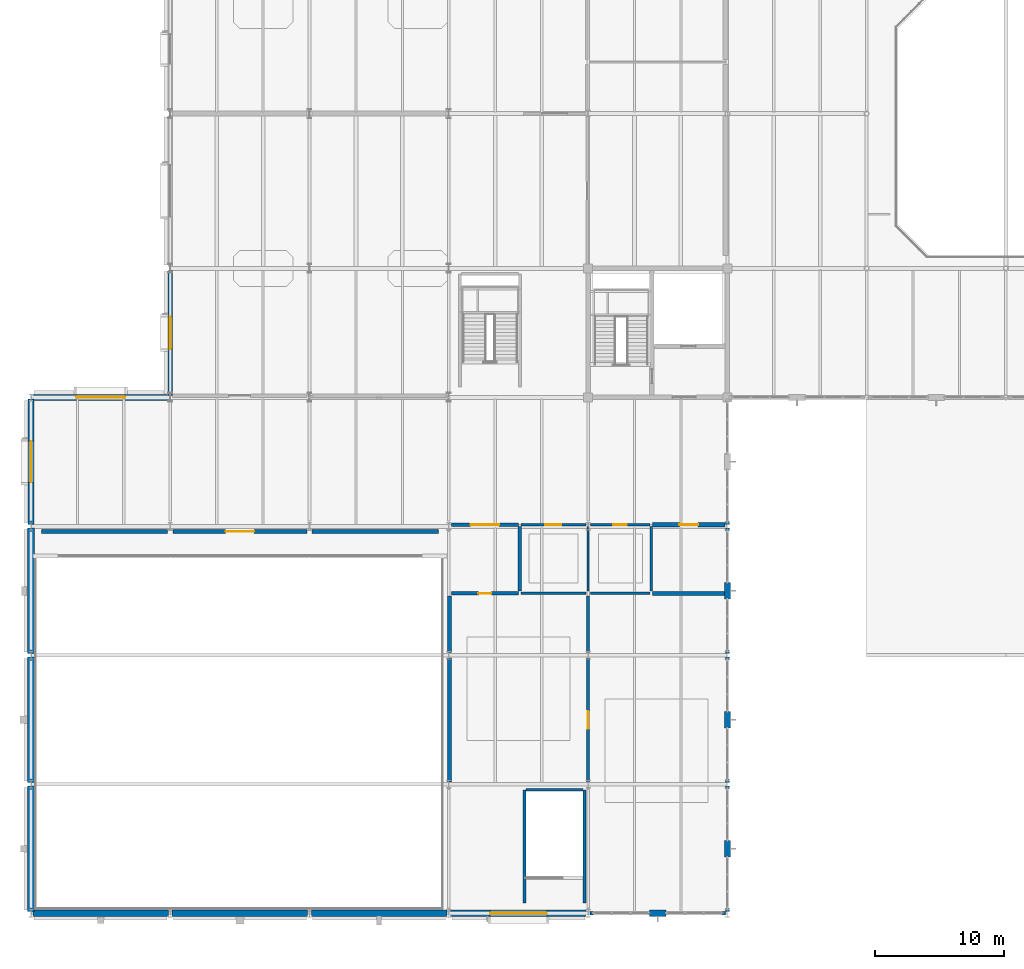
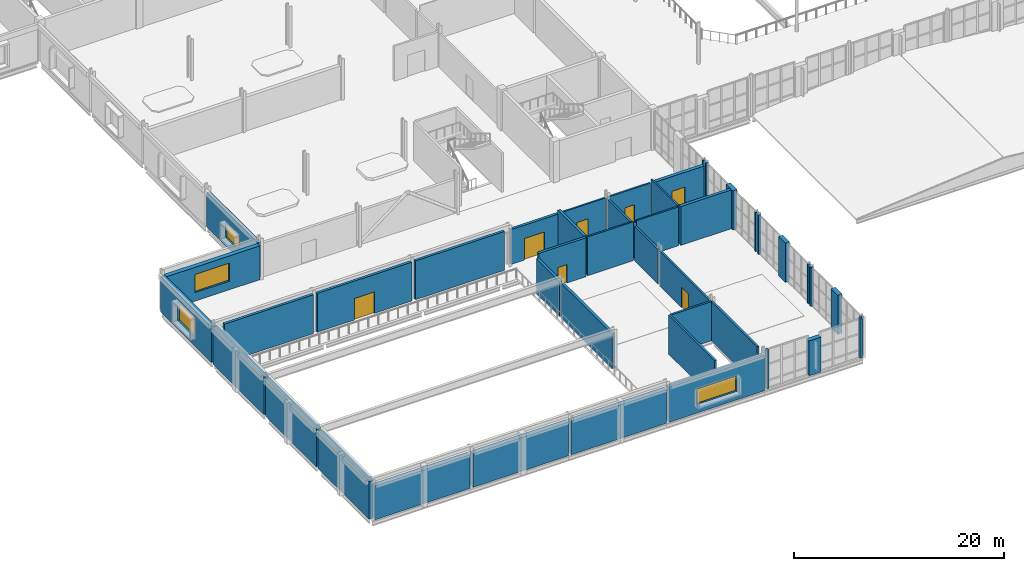
# One storey, part 74 of 92: 44 walls, 7 doors, 4 windows, 11 openings.
"""IFC4 building model written with IfcOpenShell, lengths in metres."""

from ifc_helpers import new_model, si_unit, direction, frame, frame_2d, origin, place, context, subcontext, project, spatial, rectangle, extrude, material, layer, layer_set, type_object, element, fill, save


model = new_model("IFC4")

# Units and contexts
model_context = context("Model", 3, precision=1e-05, world=origin(), true_north=direction((0.0, 1.0)))
body_context = subcontext(model_context, "Body", "Model", "MODEL_VIEW")
ifc_project = project(units=[si_unit("LENGTHUNIT", "METRE"), si_unit("AREAUNIT", "SQUARE_METRE"), si_unit("VOLUMEUNIT", "CUBIC_METRE"), si_unit("PLANEANGLEUNIT", "RADIAN"), si_unit("MASSUNIT", "GRAM", prefix="KILO")], contexts=[model_context])

# Site, building, storey
site_placement = place(None, origin())
site = spatial("IfcSite", under=ifc_project, at=site_placement, CompositionType="ELEMENT")
building_placement = place(site_placement, origin())
building = spatial("IfcBuilding", under=site, at=building_placement, Name="Tasgan Crest Museum", CompositionType="ELEMENT")
storey_placement = place(building_placement, frame((0.0, 0.0, 4.800048828125)))
storey = spatial("IfcBuildingStorey", under=building, at=storey_placement, Name="L01", CompositionType="ELEMENT", Elevation=4.800048828125)

# Wall, opening, door
ifc_material_1 = material(Name="Double-Stud Acoustic Auditorium Wall")
ifc_layer_1 = layer(ifc_material_1, 0.280029296875, Name="WL-ACOUST-280")
ifc_layer_set_1 = layer_set([ifc_layer_1], Name="Double-Stud Acoustic Auditorium Wall")
wall_type_1 = type_object("IfcWallType", Name="WL-ACOUST-280", PredefinedType="SOLIDWALL", material=ifc_layer_set_1)
wall_1_placement = place(storey_placement, frame((32.60009765625, 24.800048828125, 0.0), z_axis=(0.0, 0.0, 1.0), x_axis=(1.0, 0.0, 0.0)))
wall_1 = element("IfcWall", 1, at=wall_1_placement, inside=storey, type_object=wall_type_1, Name="Partition Naturalist Workshop Studio / Auditorium Projection Studio L01", PredefinedType="SOLIDWALL", context=body_context, shape_type="SweptSolid", body=[
    extrude(rectangle(XDim=5.199951171875, YDim=0.280029296875, at=frame_2d((2.60009765625, 0.0))), origin(), (0.0, 0.0, 1.0), 4.52001953125),
])
opening_1_placement = place(wall_1_placement, frame((2.090087890625, 0.0, 0.0)))
opening_1 = element("IfcOpeningElement", 2, at=opening_1_placement, cuts=wall_1, Name="Opening D030", PredefinedType="OPENING", context=body_context, shape_type="SweptSolid", body=[
    extrude(rectangle(XDim=1.02001953125, YDim=2.14990234375, at=frame_2d((0.510009765625, 1.074951171875))), frame((0.0, 0.14990234375, 0.0), z_axis=(0.0, -1.0, 0.0), x_axis=(1.0, 0.0, 0.0)), (0.0, 0.0, 1.0), 0.300048828125),
])
ifc_material_2 = material(Name="Oak and Brushed Bronze Acoustic Door")
door_type_1 = type_object("IfcDoorType", Name="DR-SCH-02", OperationType="NOTDEFINED", PredefinedType="DOOR", material=ifc_material_2)
door_1_placement = place(opening_1_placement, origin())
door_1 = element("IfcDoor", 3, at=door_1_placement, inside=storey, type_object=door_type_1, Name="Naturalist Workshop Studio door D030", OperationType="SINGLE_SWING_RIGHT", OverallHeight=2.14990234375, OverallWidth=1.02001953125, PredefinedType="DOOR", context=body_context, shape_type="SweptSolid", body=[
    extrude(rectangle(XDim=1.02001953125, YDim=2.14990234375, at=frame_2d((0.510009765625, 1.074951171875))), frame((0.0, 0.02490234375, 0.0), z_axis=(0.0, -1.0, 0.0), x_axis=(1.0, 0.0, 0.0)), (0.0, 0.0, 1.0), 0.050048828125),
])
fill(opening_1, door_1)

# Wall
wall_2_placement = place(storey_placement, frame((0.800048828125, 29.60009765625, 0.0), z_axis=(0.0, 0.0, 1.0), x_axis=(1.0, 0.0, 0.0)))
element("IfcWall", 4, at=wall_2_placement, inside=storey, type_object=wall_type_1, Name="Partition Main Auditorium Upper Bowl / Upper Auditorium Balcony Foyer L01", PredefinedType="SOLIDWALL", context=body_context, shape_type="SweptSolid", body=[
    extrude(rectangle(XDim=9.800048828125, YDim=0.280029296875, at=frame_2d((4.89990234375, 0.0))), origin(), (0.0, 0.0, 1.0), 4.52001953125),
])

# Wall, opening, door
wall_3_placement = place(storey_placement, frame((11.0, 29.60009765625, 0.0), z_axis=(0.0, 0.0, 1.0), x_axis=(1.0, 0.0, 0.0)))
wall_3 = element("IfcWall", 5, at=wall_3_placement, inside=storey, type_object=wall_type_1, Name="Partition Main Auditorium Upper Bowl / Upper Auditorium Balcony Foyer L01", PredefinedType="SOLIDWALL", context=body_context, shape_type="SweptSolid", body=[
    extrude(rectangle(XDim=10.39990234375, YDim=0.280029296875, at=frame_2d((5.199951171875, 0.0))), origin(), (0.0, 0.0, 1.0), 4.52001953125),
])
opening_2_placement = place(wall_3_placement, frame((4.10009765625, 0.0, 0.0)))
opening_2 = element("IfcOpeningElement", 6, at=opening_2_placement, cuts=wall_3, Name="Opening D031", PredefinedType="OPENING", context=body_context, shape_type="SweptSolid", body=[
    extrude(rectangle(XDim=2.199951171875, YDim=2.5, at=frame_2d((1.10009765625, 1.25))), frame((0.0, 0.14990234375, 0.0), z_axis=(0.0, -1.0, 0.0), x_axis=(1.0, 0.0, 0.0)), (0.0, 0.0, 1.0), 0.300048828125),
])
ifc_material_3 = material(Name="Acoustic Double Auditorium Door")
door_type_2 = type_object("IfcDoorType", Name="DR-AUD-2200", OperationType="NOTDEFINED", PredefinedType="DOOR", material=ifc_material_3)
door_2_placement = place(opening_2_placement, origin())
door_2 = element("IfcDoor", 7, at=door_2_placement, inside=storey, type_object=door_type_2, Name="Main Auditorium Upper Bowl door D031", OperationType="DOUBLE_DOOR_SINGLE_SWING", OverallHeight=2.5, OverallWidth=2.199951171875, PredefinedType="DOOR", context=body_context, shape_type="SweptSolid", body=[
    extrude(rectangle(XDim=2.199951171875, YDim=2.5, at=frame_2d((1.10009765625, 1.25))), frame((0.0, 0.02490234375, 0.0), z_axis=(0.0, -1.0, 0.0), x_axis=(1.0, 0.0, 0.0)), (0.0, 0.0, 1.0), 0.050048828125),
])
fill(opening_2, door_2)

# Wall
wall_4_placement = place(storey_placement, frame((21.800048828125, 29.60009765625, 0.0), z_axis=(0.0, 0.0, 1.0), x_axis=(1.0, 0.0, 0.0)))
element("IfcWall", 8, at=wall_4_placement, inside=storey, type_object=wall_type_1, Name="Partition Main Auditorium Upper Bowl / Upper Auditorium Balcony Foyer L01", PredefinedType="SOLIDWALL", context=body_context, shape_type="SweptSolid", body=[
    extrude(rectangle(XDim=9.800048828125, YDim=0.280029296875, at=frame_2d((4.89990234375, 0.0))), origin(), (0.0, 0.0, 1.0), 4.52001953125),
])

# Wall, opening, door
wall_5_placement = place(storey_placement, frame((32.60009765625, 30.125, 0.0), z_axis=(0.0, 0.0, 1.0), x_axis=(1.0, 0.0, 0.0)))
wall_5 = element("IfcWall", 9, at=wall_5_placement, inside=storey, type_object=wall_type_1, Name="Partition Auditorium Projection Studio / South Balcony Link Corridor L01", PredefinedType="SOLIDWALL", context=body_context, shape_type="SweptSolid", body=[
    extrude(rectangle(XDim=5.199951171875, YDim=0.280029296875, at=frame_2d((2.60009765625, 0.0))), origin(), (0.0, 0.0, 1.0), 4.058837890625),
])
opening_3_placement = place(wall_5_placement, frame((1.5, 0.0, 0.0)))
opening_3 = element("IfcOpeningElement", 10, at=opening_3_placement, cuts=wall_5, Name="Opening D034", PredefinedType="OPENING", context=body_context, shape_type="SweptSolid", body=[
    extrude(rectangle(XDim=2.199951171875, YDim=2.5, at=frame_2d((1.10009765625, 1.25))), frame((0.0, 0.14990234375, 0.0), z_axis=(0.0, -1.0, 0.0), x_axis=(1.0, 0.0, 0.0)), (0.0, 0.0, 1.0), 0.300048828125),
])
door_3_placement = place(opening_3_placement, origin())
door_3 = element("IfcDoor", 11, at=door_3_placement, inside=storey, type_object=door_type_2, Name="Auditorium Projection Studio door D034", OperationType="DOUBLE_DOOR_SINGLE_SWING", OverallHeight=2.5, OverallWidth=2.199951171875, PredefinedType="DOOR", context=body_context, shape_type="SweptSolid", body=[
    extrude(rectangle(XDim=2.199951171875, YDim=2.5, at=frame_2d((1.10009765625, 1.25))), frame((0.0, 0.02490234375, 0.0), z_axis=(0.0, -1.0, 0.0), x_axis=(1.0, 0.0, 0.0)), (0.0, 0.0, 1.0), 0.050048828125),
])
fill(opening_3, door_3)

# Wall
wall_6_placement = place(storey_placement, frame((37.89990234375, 25.0, 0.0), z_axis=(0.0, 0.0, 1.0), x_axis=(0.0, 1.0, 0.0)))
element("IfcWall", 12, at=wall_6_placement, inside=storey, type_object=wall_type_1, Name="Partition First Floor Public WC / Auditorium Projection Studio L01", PredefinedType="SOLIDWALL", context=body_context, shape_type="SweptSolid", body=[
    extrude(rectangle(XDim=5.0, YDim=0.280029296875, at=frame_2d((2.5, 0.0))), origin(), (0.0, 0.0, 1.0), 4.52001953125),
])

# Wall, opening, window
ifc_material_4 = material(Name="Precast concrete C40/50", Category="concrete")
ifc_layer_2 = layer(ifc_material_4, 0.3798828125, Name="WL-EXT-CANT-380")
ifc_layer_set_2 = layer_set([ifc_layer_2], Name="Precast concrete C40/50")
wall_type_2 = type_object("IfcWallType", Name="WL-EXT-CANT-380", PredefinedType="STANDARD", material=ifc_layer_set_2)
wall_7_placement = place(storey_placement, frame((10.800048828125, 49.85498046875, 0.0), z_axis=(0.0, 0.0, 1.0), x_axis=(0.0, -1.0, 0.0)))
wall_7 = element("IfcWall", 13, at=wall_7_placement, inside=storey, type_object=wall_type_2, Name="Exterior wall L01 (10.8,45.0)", PredefinedType="STANDARD", context=body_context, shape_type="SweptSolid", body=[
    extrude(rectangle(XDim=9.7099609375, YDim=0.3798828125, at=frame_2d((4.85498046875, 0.0))), origin(), (0.0, 0.0, 1.0), 4.0400390625),
])
opening_4_placement = place(wall_7_placement, frame((3.60498046875, 0.0, 1.0)))
opening_4 = element("IfcOpeningElement", 14, at=opening_4_placement, cuts=wall_7, Name="Opening W25", PredefinedType="OPENING", context=body_context, shape_type="SweptSolid", body=[
    extrude(rectangle(XDim=2.5, YDim=1.699951171875, at=frame_2d((1.25, 0.85009765625))), frame((0.0, 0.199951171875, 0.0), z_axis=(0.0, -1.0, 0.0), x_axis=(1.0, 0.0, 0.0)), (0.0, 0.0, 1.0), 0.39990234375),
])
ifc_material_5 = material(Name="Thermally Broken Triple-Glazed Aluminium", Category="aluminium")
window_type_1 = type_object("IfcWindowType", Name="WN-LAB-2500X1700", PartitioningType="SINGLE_PANEL", PredefinedType="WINDOW", material=ifc_material_5)
window_1_placement = place(opening_4_placement, origin())
window_1 = element("IfcWindow", 15, at=window_1_placement, inside=storey, type_object=window_type_1, Name="Window W25 L01-035", OverallHeight=1.699951171875, OverallWidth=2.5, PartitioningType="SINGLE_PANEL", PredefinedType="WINDOW", context=body_context, shape_type="SweptSolid", body=[
    extrude(rectangle(XDim=2.5, YDim=1.699951171875, at=frame_2d((1.25, 0.85009765625))), frame((0.0, 0.030029296875, 0.0), z_axis=(0.0, -1.0, 0.0), x_axis=(1.0, 0.0, 0.0)), (0.0, 0.0, 1.0), 0.06005859375),
])
fill(opening_4, window_1)

# Walls
ifc_material_6 = material(Name="Precast concrete C40/50", Category="concrete")
ifc_layer_3 = layer(ifc_material_6, 0.320068359375, Name="WL-EXT-CLER-320")
ifc_layer_set_3 = layer_set([ifc_layer_3], Name="Precast concrete C40/50")
wall_type_3 = type_object("IfcWallType", Name="WL-EXT-CLER-320", PredefinedType="STANDARD", material=ifc_layer_set_3)
for number, where, z_axis, x_axis, name in (
    (16, (43.344970703125, 0.0, 0.0), (0.0, 0.0, 1.0), (1.0, 0.0, 0.0), "Curtain wall jamb closure L01 JL"),
    (17, (53.6298828125, 0.0, 0.0), (0.0, 0.0, 1.0), (1.0, 0.0, 0.0), "Curtain wall jamb closure L01 JR"),
    (18, (54.0, 0.14501953125, 0.0), (0.0, 0.0, 1.0), (0.0, 1.0, 0.0), "Curtain wall jamb closure L01 JL"),
    (19, (54.0, 9.6298828125, 0.0), (0.0, 0.0, 1.0), (0.0, 1.0, 0.0), "Curtain wall jamb closure L01 JR"),
    (20, (54.0, 10.14501953125, 0.0), (0.0, 0.0, 1.0), (0.0, 1.0, 0.0), "Curtain wall jamb closure L01 JL"),
    (21, (54.0, 19.6298828125, 0.0), (0.0, 0.0, 1.0), (0.0, 1.0, 0.0), "Curtain wall jamb closure L01 JR"),
    (22, (54.0, 20.14501953125, 0.0), (0.0, 0.0, 1.0), (0.0, 1.0, 0.0), "Curtain wall jamb closure L01 JL"),
    (23, (54.0, 29.6298828125, 0.0), (0.0, 0.0, 1.0), (0.0, 1.0, 0.0), "Curtain wall jamb closure L01 JR"),
    (24, (54.0, 30.14501953125, 0.0), (0.0, 0.0, 1.0), (0.0, 1.0, 0.0), "Curtain wall jamb closure L01 JL"),
):
    element("IfcWall", number, at=place(storey_placement, frame(where, z_axis=z_axis, x_axis=x_axis)), inside=storey, type_object=wall_type_3, Name=name, PredefinedType="STANDARD", context=body_context, shape_type="SweptSolid", body=[
        extrude(rectangle(XDim=0.22509765625, YDim=0.300048828125, at=frame_2d((0.112548828125, 0.0))), origin(), (0.0, 0.0, 1.0), 4.56005859375),
    ])

# Wall, opening, window
ifc_material_7 = material(Name="Precast concrete C40/50", Category="concrete")
ifc_layer_4 = layer(ifc_material_7, 0.47998046875, Name="WL-EXT-GRAN-480")
ifc_layer_set_4 = layer_set([ifc_layer_4], Name="Precast concrete C40/50")
wall_type_4 = type_object("IfcWallType", Name="WL-EXT-GRAN-480", PredefinedType="STANDARD", material=ifc_layer_set_4)
wall_8_placement = place(storey_placement, frame((0.0, 39.85498046875, 0.0), z_axis=(0.0, 0.0, 1.0), x_axis=(0.0, -1.0, 0.0)))
wall_8 = element("IfcWall", 25, at=wall_8_placement, inside=storey, type_object=wall_type_4, Name="Exterior wall L01 (0.0,35.0)", PredefinedType="STANDARD", context=body_context, shape_type="SweptSolid", body=[
    extrude(rectangle(XDim=9.7099609375, YDim=0.47998046875, at=frame_2d((4.85498046875, 0.0))), origin(), (0.0, 0.0, 1.0), 4.1298828125),
])
opening_5_placement = place(wall_8_placement, frame((3.2548828125, 0.0, 1.0)))
opening_5 = element("IfcOpeningElement", 26, at=opening_5_placement, cuts=wall_8, Name="Opening W20", PredefinedType="OPENING", context=body_context, shape_type="SweptSolid", body=[
    extrude(rectangle(XDim=3.199951171875, YDim=2.199951171875, at=frame_2d((1.60009765625, 1.10009765625))), frame((0.0, 0.25, 0.0), z_axis=(0.0, -1.0, 0.0), x_axis=(1.0, 0.0, 0.0)), (0.0, 0.0, 1.0), 0.5),
])
ifc_material_8 = material(Name="Thermally Broken Triple-Glazed Aluminium", Category="aluminium")
window_type_2 = type_object("IfcWindowType", Name="WN-GAL-3200X2200", PartitioningType="SINGLE_PANEL", PredefinedType="WINDOW", material=ifc_material_8)
window_2_placement = place(opening_5_placement, origin())
window_2 = element("IfcWindow", 27, at=window_2_placement, inside=storey, type_object=window_type_2, Name="Window W20 L01-021", OverallHeight=2.199951171875, OverallWidth=3.199951171875, PartitioningType="SINGLE_PANEL", PredefinedType="WINDOW", context=body_context, shape_type="SweptSolid", body=[
    extrude(rectangle(XDim=3.199951171875, YDim=2.199951171875, at=frame_2d((1.60009765625, 1.10009765625))), frame((0.0, 0.030029296875, 0.0), z_axis=(0.0, -1.0, 0.0), x_axis=(1.0, 0.0, 0.0)), (0.0, 0.0, 1.0), 0.06005859375),
])
fill(opening_5, window_2)

wall_9_placement = place(storey_placement, frame((32.544921875, 0.0, 0.0), z_axis=(0.0, 0.0, 1.0), x_axis=(1.0, 0.0, 0.0)))
wall_9 = element("IfcWall", 28, at=wall_9_placement, inside=storey, type_object=wall_type_4, Name="Exterior wall L01 (37.8,0.0)", PredefinedType="STANDARD", context=body_context, shape_type="SweptSolid", body=[
    extrude(rectangle(XDim=10.510009765625, YDim=0.47998046875, at=frame_2d((5.2548828125, 0.0))), origin(), (0.0, 0.0, 1.0), 4.058837890625),
])
opening_6_placement = place(wall_9_placement, frame((3.054931640625, 0.0, 1.0)))
opening_6 = element("IfcOpeningElement", 29, at=opening_6_placement, cuts=wall_9, Name="Opening W24", PredefinedType="OPENING", context=body_context, shape_type="SweptSolid", body=[
    extrude(rectangle(XDim=4.39990234375, YDim=1.800048828125, at=frame_2d((2.199951171875, 0.89990234375))), frame((0.0, 0.25, 0.0), z_axis=(0.0, -1.0, 0.0), x_axis=(1.0, 0.0, 0.0)), (0.0, 0.0, 1.0), 0.5),
])
ifc_material_9 = material(Name="Thermally Broken Triple-Glazed Aluminium", Category="aluminium")
window_type_3 = type_object("IfcWindowType", Name="WN-GAL-4400X1800", PartitioningType="SINGLE_PANEL", PredefinedType="WINDOW", material=ifc_material_9)
window_3_placement = place(opening_6_placement, origin())
window_3 = element("IfcWindow", 30, at=window_3_placement, inside=storey, type_object=window_type_3, Name="Window W24 L01-022", OverallHeight=1.800048828125, OverallWidth=4.39990234375, PartitioningType="SINGLE_PANEL", PredefinedType="WINDOW", context=body_context, shape_type="SweptSolid", body=[
    extrude(rectangle(XDim=4.39990234375, YDim=1.800048828125, at=frame_2d((2.199951171875, 0.89990234375))), frame((0.0, 0.030029296875, 0.0), z_axis=(0.0, -1.0, 0.0), x_axis=(1.0, 0.0, 0.0)), (0.0, 0.0, 1.0), 0.06005859375),
])
fill(opening_6, window_3)

# Walls
wall_10_placement = place(storey_placement, frame((47.949951171875, 0.0, 0.0), z_axis=(0.0, 0.0, 1.0), x_axis=(1.0, 0.0, 0.0)))
element("IfcWall", 31, at=wall_10_placement, inside=storey, type_object=wall_type_4, Name="Postmodern facade stone pier L01", PredefinedType="STANDARD", context=body_context, shape_type="SweptSolid", body=[
    extrude(rectangle(XDim=1.300048828125, YDim=0.47998046875, at=frame_2d((0.64990234375, 0.0))), origin(), (0.0, 0.0, 1.0), 4.058837890625),
])
for number, where, z_axis, x_axis, name in (
    (32, (54.0, 4.35009765625, 0.0), (0.0, 0.0, 1.0), (0.0, 1.0, 0.0), "Postmodern facade stone pier L01"),
    (33, (54.0, 14.35009765625, 0.0), (0.0, 0.0, 1.0), (0.0, 1.0, 0.0), "Postmodern facade stone pier L01"),
    (34, (54.0, 24.35009765625, 0.0), (0.0, 0.0, 1.0), (0.0, 1.0, 0.0), "Postmodern facade stone pier L01"),
):
    element("IfcWall", number, at=place(storey_placement, frame(where, z_axis=z_axis, x_axis=x_axis)), inside=storey, type_object=wall_type_4, Name=name, PredefinedType="STANDARD", context=body_context, shape_type="SweptSolid", body=[
        extrude(rectangle(XDim=1.2998046875, YDim=0.47998046875, at=frame_2d((0.64990234375, 0.0))), origin(), (0.0, 0.0, 1.0), 4.56005859375),
    ])

# Wall, opening, window
wall_11_placement = place(storey_placement, frame((10.655029296875, 40.0, 0.0), z_axis=(0.0, 0.0, 1.0), x_axis=(-1.0, 0.0, 0.0)))
wall_11 = element("IfcWall", 35, at=wall_11_placement, inside=storey, type_object=wall_type_4, Name="Exterior wall L01 (5.4,40.0)", PredefinedType="STANDARD", context=body_context, shape_type="SweptSolid", body=[
    extrude(rectangle(XDim=10.510009765625, YDim=0.47998046875, at=frame_2d((5.2548828125, 0.0))), origin(), (0.0, 0.0, 1.0), 3.93896484375),
])
opening_7_placement = place(wall_11_placement, frame((3.35498046875, 0.0, 1.0)))
opening_7 = element("IfcOpeningElement", 36, at=opening_7_placement, cuts=wall_11, Name="Opening W23", PredefinedType="OPENING", context=body_context, shape_type="SweptSolid", body=[
    extrude(rectangle(XDim=3.800048828125, YDim=2.10009765625, at=frame_2d((1.89990234375, 1.050048828125))), frame((0.0, 0.25, 0.0), z_axis=(0.0, -1.0, 0.0), x_axis=(1.0, 0.0, 0.0)), (0.0, 0.0, 1.0), 0.5),
])
ifc_material_10 = material(Name="Thermally Broken Triple-Glazed Aluminium", Category="aluminium")
window_type_4 = type_object("IfcWindowType", Name="WN-GAL-3800X2100", PartitioningType="SINGLE_PANEL", PredefinedType="WINDOW", material=ifc_material_10)
window_4_placement = place(opening_7_placement, origin())
window_4 = element("IfcWindow", 37, at=window_4_placement, inside=storey, type_object=window_type_4, Name="Window W23 L01-036", OverallHeight=2.10009765625, OverallWidth=3.800048828125, PartitioningType="SINGLE_PANEL", PredefinedType="WINDOW", context=body_context, shape_type="SweptSolid", body=[
    extrude(rectangle(XDim=3.800048828125, YDim=2.10009765625, at=frame_2d((1.89990234375, 1.050048828125))), frame((0.0, 0.030029296875, 0.0), z_axis=(0.0, -1.0, 0.0), x_axis=(1.0, 0.0, 0.0)), (0.0, 0.0, 1.0), 0.06005859375),
])
fill(opening_7, window_4)

# Walls
ifc_material_11 = material(Name="Concrete C40/50", Category="concrete")
ifc_layer_5 = layer(ifc_material_11, 0.52001953125, Name="WL-EXT-VAULT-520")
ifc_layer_set_5 = layer_set([ifc_layer_5], Name="Concrete C40/50")
wall_type_5 = type_object("IfcWallType", Name="WL-EXT-VAULT-520", PredefinedType="SOLIDWALL", material=ifc_layer_set_5)
for number, where, z_axis, x_axis, name in (
    (38, (0.0, 29.85498046875, 0.0), (0.0, 0.0, 1.0), (0.0, -1.0, 0.0), "Exterior wall L01 (0.0,25.0)"),
    (39, (0.0, 19.85498046875, 0.0), (0.0, 0.0, 1.0), (0.0, -1.0, 0.0), "Exterior wall L01 (0.0,15.0)"),
    (40, (0.0, 9.85498046875, 0.0), (0.0, 0.0, 1.0), (0.0, -1.0, 0.0), "Exterior wall L01 (0.0,5.0)"),
):
    element("IfcWall", number, at=place(storey_placement, frame(where, z_axis=z_axis, x_axis=x_axis)), inside=storey, type_object=wall_type_5, Name=name, PredefinedType="SOLIDWALL", context=body_context, shape_type="SweptSolid", body=[
        extrude(rectangle(XDim=9.7099609375, YDim=0.52001953125, at=frame_2d((4.85498046875, 0.0))), origin(), (0.0, 0.0, 1.0), 4.35888671875),
    ])
for number, where, z_axis, x_axis, name in (
    (41, (0.14501953125, 0.0, 0.0), (0.0, 0.0, 1.0), (1.0, 0.0, 0.0), "Exterior wall L01 (5.4,0.0)"),
    (42, (10.945068359375, 0.0, 0.0), (0.0, 0.0, 1.0), (1.0, 0.0, 0.0), "Exterior wall L01 (16.2,0.0)"),
):
    element("IfcWall", number, at=place(storey_placement, frame(where, z_axis=z_axis, x_axis=x_axis)), inside=storey, type_object=wall_type_5, Name=name, PredefinedType="SOLIDWALL", context=body_context, shape_type="SweptSolid", body=[
        extrude(rectangle(XDim=10.510009765625, YDim=0.52001953125, at=frame_2d((5.2548828125, 0.0))), origin(), (0.0, 0.0, 1.0), 3.89892578125),
    ])
wall_12_placement = place(storey_placement, frame((21.7451171875, 0.0, 0.0), z_axis=(0.0, 0.0, 1.0), x_axis=(1.0, 0.0, 0.0)))
element("IfcWall", 43, at=wall_12_placement, inside=storey, type_object=wall_type_5, Name="Exterior wall L01 (27.0,0.0)", PredefinedType="SOLIDWALL", context=body_context, shape_type="SweptSolid", body=[
    extrude(rectangle(XDim=10.509765625, YDim=0.52001953125, at=frame_2d((5.2548828125, 0.0))), origin(), (0.0, 0.0, 1.0), 3.89892578125),
])

# Wall, opening, door
ifc_material_12 = material(Name="Sanitary Plumbing Chase Wall")
ifc_layer_6 = layer(ifc_material_12, 0.179931640625, Name="WL-PLUMB-180")
ifc_layer_set_6 = layer_set([ifc_layer_6], Name="Sanitary Plumbing Chase Wall")
wall_type_6 = type_object("IfcWallType", Name="WL-PLUMB-180", PredefinedType="PLUMBINGWALL", material=ifc_layer_set_6)
wall_13_placement = place(storey_placement, frame((38.0, 30.125, 0.0), z_axis=(0.0, 0.0, 1.0), x_axis=(1.0, 0.0, 0.0)))
wall_13 = element("IfcWall", 44, at=wall_13_placement, inside=storey, type_object=wall_type_6, Name="Partition First Floor Public WC / South Balcony Link Corridor L01", PredefinedType="PLUMBINGWALL", context=body_context, shape_type="SweptSolid", body=[
    extrude(rectangle(XDim=5.02001953125, YDim=0.179931640625, at=frame_2d((2.510009765625, 0.0))), origin(), (0.0, 0.0, 1.0), 4.058837890625),
])
opening_8_placement = place(wall_13_placement, frame((1.885009765625, 0.0, 0.0)))
opening_8 = element("IfcOpeningElement", 45, at=opening_8_placement, cuts=wall_13, Name="Opening D035", PredefinedType="OPENING", context=body_context, shape_type="SweptSolid", body=[
    extrude(rectangle(XDim=1.25, YDim=2.300048828125, at=frame_2d((0.625, 1.14990234375))), frame((0.0, 0.099853515625, 0.0), z_axis=(0.0, -1.0, 0.0), x_axis=(1.0, 0.0, 0.0)), (0.0, 0.0, 1.0), 0.199951171875),
])
ifc_material_13 = material(Name="Oak and Brushed Bronze Acoustic Door")
door_type_3 = type_object("IfcDoorType", Name="DR-SCH-07", OperationType="NOTDEFINED", PredefinedType="DOOR", material=ifc_material_13)
door_4_placement = place(opening_8_placement, origin())
door_4 = element("IfcDoor", 46, at=door_4_placement, inside=storey, type_object=door_type_3, Name="First Floor Public WC door D035", OperationType="SINGLE_SWING_LEFT", OverallHeight=2.300048828125, OverallWidth=1.25, PredefinedType="DOOR", context=body_context, shape_type="SweptSolid", body=[
    extrude(rectangle(XDim=1.25, YDim=2.300048828125, at=frame_2d((0.625, 1.14990234375))), frame((0.0, 0.02490234375, 0.0), z_axis=(0.0, -1.0, 0.0), x_axis=(1.0, 0.0, 0.0)), (0.0, 0.0, 1.0), 0.050048828125),
])
fill(opening_8, door_4)

wall_14_placement = place(storey_placement, frame((43.3798828125, 30.125, 0.0), z_axis=(0.0, 0.0, 1.0), x_axis=(1.0, 0.0, 0.0)))
wall_14 = element("IfcWall", 47, at=wall_14_placement, inside=storey, type_object=wall_type_6, Name="Partition First Floor Accessible WC / South Balcony Link Corridor L01", PredefinedType="PLUMBINGWALL", context=body_context, shape_type="SweptSolid", body=[
    extrude(rectangle(XDim=4.6201171875, YDim=0.179931640625, at=frame_2d((2.31005859375, 0.0))), origin(), (0.0, 0.0, 1.0), 4.058837890625),
])
opening_9_placement = place(wall_14_placement, frame((1.784912109375, 0.0, 0.0)))
opening_9 = element("IfcOpeningElement", 48, at=opening_9_placement, cuts=wall_14, Name="Opening D036", PredefinedType="OPENING", context=body_context, shape_type="SweptSolid", body=[
    extrude(rectangle(XDim=1.050048828125, YDim=2.14990234375, at=frame_2d((0.52490234375, 1.074951171875))), frame((0.0, 0.099853515625, 0.0), z_axis=(0.0, -1.0, 0.0), x_axis=(1.0, 0.0, 0.0)), (0.0, 0.0, 1.0), 0.199951171875),
])
ifc_material_14 = material(Name="Accessible WC Outward-Opening Door")
door_type_4 = type_object("IfcDoorType", Name="DR-WC-ACC-1050", OperationType="NOTDEFINED", PredefinedType="DOOR", material=ifc_material_14)
door_5_placement = place(opening_9_placement, origin())
door_5 = element("IfcDoor", 49, at=door_5_placement, inside=storey, type_object=door_type_4, Name="First Floor Accessible WC door D036", OperationType="SINGLE_SWING_RIGHT", OverallHeight=2.14990234375, OverallWidth=1.050048828125, PredefinedType="DOOR", context=body_context, shape_type="SweptSolid", body=[
    extrude(rectangle(XDim=1.050048828125, YDim=2.14990234375, at=frame_2d((0.52490234375, 1.074951171875))), frame((0.0, 0.02490234375, 0.0), z_axis=(0.0, -1.0, 0.0), x_axis=(1.0, 0.0, 0.0)), (0.0, 0.0, 1.0), 0.050048828125),
])
fill(opening_9, door_5)

# Walls
wall_15_placement = place(storey_placement, frame((38.0, 24.800048828125, 0.0), z_axis=(0.0, 0.0, 1.0), x_axis=(1.0, 0.0, 0.0)))
element("IfcWall", 50, at=wall_15_placement, inside=storey, type_object=wall_type_6, Name="Partition Naturalist Workshop Studio / First Floor Public WC L01", PredefinedType="PLUMBINGWALL", context=body_context, shape_type="SweptSolid", body=[
    extrude(rectangle(XDim=5.02001953125, YDim=0.179931640625, at=frame_2d((2.510009765625, 0.0))), origin(), (0.0, 0.0, 1.0), 4.52001953125),
])
wall_16_placement = place(storey_placement, frame((43.3798828125, 24.800048828125, 0.0), z_axis=(0.0, 0.0, 1.0), x_axis=(1.0, 0.0, 0.0)))
element("IfcWall", 51, at=wall_16_placement, inside=storey, type_object=wall_type_6, Name="Partition School Discovery Classroom / First Floor Accessible WC L01", PredefinedType="PLUMBINGWALL", context=body_context, shape_type="SweptSolid", body=[
    extrude(rectangle(XDim=4.6201171875, YDim=0.179931640625, at=frame_2d((2.31005859375, 0.0))), origin(), (0.0, 0.0, 1.0), 4.52001953125),
])
wall_17_placement = place(storey_placement, frame((43.199951171875, 25.0, 0.0), z_axis=(0.0, 0.0, 1.0), x_axis=(0.0, 1.0, 0.0)))
element("IfcWall", 52, at=wall_17_placement, inside=storey, type_object=wall_type_6, Name="Partition First Floor Public WC / First Floor Accessible WC L01", PredefinedType="PLUMBINGWALL", context=body_context, shape_type="SweptSolid", body=[
    extrude(rectangle(XDim=5.0, YDim=0.179931640625, at=frame_2d((2.5, 0.0))), origin(), (0.0, 0.0, 1.0), 4.050048828125),
])
wall_18_placement = place(storey_placement, frame((48.10009765625, 25.0, 0.0), z_axis=(0.0, 0.0, 1.0), x_axis=(0.0, 1.0, 0.0)))
element("IfcWall", 53, at=wall_18_placement, inside=storey, type_object=wall_type_6, Name="Partition First Floor Accessible WC / Education Resource Study L01", PredefinedType="PLUMBINGWALL", context=body_context, shape_type="SweptSolid", body=[
    extrude(rectangle(XDim=5.0, YDim=0.179931640625, at=frame_2d((2.5, 0.0))), origin(), (0.0, 0.0, 1.0), 4.52001953125),
])

# Wall, opening, door
ifc_material_15 = material(Name="Gypsum Acoustic Museum Partition")
ifc_layer_7 = layer(ifc_material_15, 0.2099609375, Name="WL-SCH-06")
ifc_layer_set_7 = layer_set([ifc_layer_7], Name="Gypsum Acoustic Museum Partition")
wall_type_7 = type_object("IfcWallType", Name="WL-SCH-06", PredefinedType="PARTITIONING", material=ifc_layer_set_7)
wall_19_placement = place(storey_placement, frame((43.199951171875, 10.179931640625, 0.0), z_axis=(0.0, 0.0, 1.0), x_axis=(0.0, 1.0, 0.0)))
wall_19 = element("IfcWall", 54, at=wall_19_placement, inside=storey, type_object=wall_type_7, Name="Partition Naturalist Workshop Studio / School Discovery Classroom L01", PredefinedType="PARTITIONING", context=body_context, shape_type="SweptSolid", body=[
    extrude(rectangle(XDim=9.6201171875, YDim=0.2099609375, at=frame_2d((4.81005859375, 0.0))), origin(), (0.0, 0.0, 1.0), 4.050048828125),
])
opening_10_placement = place(wall_19_placement, frame((4.1201171875, 0.0, 0.0)))
opening_10 = element("IfcOpeningElement", 55, at=opening_10_placement, cuts=wall_19, Name="Opening D053", PredefinedType="OPENING", context=body_context, shape_type="SweptSolid", body=[
    extrude(rectangle(XDim=1.3798828125, YDim=2.3798828125, at=frame_2d((0.68994140625, 1.18994140625))), frame((0.0, 0.114990234375, 0.0), z_axis=(0.0, -1.0, 0.0), x_axis=(1.0, 0.0, 0.0)), (0.0, 0.0, 1.0), 0.22998046875),
])
ifc_material_16 = material(Name="Oak and Brushed Bronze Acoustic Door")
door_type_5 = type_object("IfcDoorType", Name="DR-SCH-25", OperationType="NOTDEFINED", PredefinedType="DOOR", material=ifc_material_16)
door_6_placement = place(opening_10_placement, origin())
door_6 = element("IfcDoor", 56, at=door_6_placement, inside=storey, type_object=door_type_5, Name="School Discovery Classroom door D053", OperationType="SINGLE_SWING_RIGHT", OverallHeight=2.3798828125, OverallWidth=1.3798828125, PredefinedType="DOOR", context=body_context, shape_type="SweptSolid", body=[
    extrude(rectangle(XDim=1.3798828125, YDim=2.3798828125, at=frame_2d((0.68994140625, 1.18994140625))), frame((0.0, 0.02490234375, 0.0), z_axis=(0.0, -1.0, 0.0), x_axis=(1.0, 0.0, 0.0)), (0.0, 0.0, 1.0), 0.050048828125),
])
fill(opening_10, door_6)

# Walls
wall_20_placement = place(storey_placement, frame((43.199951171875, 20.199951171875, 0.0), z_axis=(0.0, 0.0, 1.0), x_axis=(0.0, 1.0, 0.0)))
element("IfcWall", 57, at=wall_20_placement, inside=storey, type_object=wall_type_7, Name="Partition Naturalist Workshop Studio / School Discovery Classroom L01", PredefinedType="PARTITIONING", context=body_context, shape_type="SweptSolid", body=[
    extrude(rectangle(XDim=4.400146484375, YDim=0.2099609375, at=frame_2d((2.2001953125, 0.0))), origin(), (0.0, 0.0, 1.0), 4.050048828125),
])
ifc_material_17 = material(Name="Gypsum Acoustic Museum Partition")
ifc_layer_8 = layer(ifc_material_17, 0.2900390625, Name="WL-SCH-09")
ifc_layer_set_8 = layer_set([ifc_layer_8], Name="Gypsum Acoustic Museum Partition")
wall_type_8 = type_object("IfcWallType", Name="WL-SCH-09", PredefinedType="PARTITIONING", material=ifc_layer_set_8)
wall_21_placement = place(storey_placement, frame((32.449951171875, 10.179931640625, 0.0), z_axis=(0.0, 0.0, 1.0), x_axis=(0.0, 1.0, 0.0)))
element("IfcWall", 58, at=wall_21_placement, inside=storey, type_object=wall_type_8, Name="Partition Naturalist Workshop Studio / Circulation L01", PredefinedType="PARTITIONING", context=body_context, shape_type="SweptSolid", body=[
    extrude(rectangle(XDim=9.6201171875, YDim=0.2900390625, at=frame_2d((4.81005859375, 0.0))), origin(), (0.0, 0.0, 1.0), 4.050048828125),
])
wall_22_placement = place(storey_placement, frame((32.449951171875, 20.199951171875, 0.0), z_axis=(0.0, 0.0, 1.0), x_axis=(0.0, 1.0, 0.0)))
element("IfcWall", 59, at=wall_22_placement, inside=storey, type_object=wall_type_8, Name="Partition Naturalist Workshop Studio / Circulation L01", PredefinedType="PARTITIONING", context=body_context, shape_type="SweptSolid", body=[
    extrude(rectangle(XDim=4.400146484375, YDim=0.2900390625, at=frame_2d((2.2001953125, 0.0))), origin(), (0.0, 0.0, 1.0), 4.050048828125),
])
ifc_material_18 = material(Name="Gypsum Acoustic Museum Partition")
ifc_layer_9 = layer(ifc_material_18, 0.330078125, Name="WL-SCH-11")
ifc_layer_set_9 = layer_set([ifc_layer_9], Name="Gypsum Acoustic Museum Partition")
wall_type_9 = type_object("IfcWallType", Name="WL-SCH-11", PredefinedType="PARTITIONING", material=ifc_layer_set_9)
wall_23_placement = place(storey_placement, frame((48.199951171875, 24.800048828125, 0.0), z_axis=(0.0, 0.0, 1.0), x_axis=(1.0, 0.0, 0.0)))
element("IfcWall", 60, at=wall_23_placement, inside=storey, type_object=wall_type_9, Name="Partition School Discovery Classroom / Education Resource Study L01", PredefinedType="PARTITIONING", context=body_context, shape_type="SweptSolid", body=[
    extrude(rectangle(XDim=5.6201171875, YDim=0.330078125, at=frame_2d((2.81005859375, 0.0))), origin(), (0.0, 0.0, 1.0), 4.52001953125),
])

# Wall, opening, door
ifc_material_19 = material(Name="Gypsum Acoustic Museum Partition")
ifc_layer_10 = layer(ifc_material_19, 0.3701171875, Name="WL-SCH-12")
ifc_layer_set_10 = layer_set([ifc_layer_10], Name="Gypsum Acoustic Museum Partition")
wall_type_10 = type_object("IfcWallType", Name="WL-SCH-12", PredefinedType="PARTITIONING", material=ifc_layer_set_10)
wall_24_placement = place(storey_placement, frame((48.199951171875, 30.125, 0.0), z_axis=(0.0, 0.0, 1.0), x_axis=(1.0, 0.0, 0.0)))
wall_24 = element("IfcWall", 61, at=wall_24_placement, inside=storey, type_object=wall_type_10, Name="Partition Education Resource Study / South Balcony Link Corridor L01", PredefinedType="PARTITIONING", context=body_context, shape_type="SweptSolid", body=[
    extrude(rectangle(XDim=5.6201171875, YDim=0.3701171875, at=frame_2d((2.81005859375, 0.0))), origin(), (0.0, 0.0, 1.0), 4.058837890625),
])
opening_11_placement = place(wall_24_placement, frame((2.0849609375, 0.0, 0.0)))
opening_11 = element("IfcOpeningElement", 62, at=opening_11_placement, cuts=wall_24, Name="Opening D037", PredefinedType="OPENING", context=body_context, shape_type="SweptSolid", body=[
    extrude(rectangle(XDim=1.449951171875, YDim=2.35009765625, at=frame_2d((0.72509765625, 1.175048828125))), frame((0.0, 0.195068359375, 0.0), z_axis=(0.0, -1.0, 0.0), x_axis=(1.0, 0.0, 0.0)), (0.0, 0.0, 1.0), 0.39013671875),
])
ifc_material_20 = material(Name="Oak and Brushed Bronze Acoustic Door")
door_type_6 = type_object("IfcDoorType", Name="DR-SCH-09", OperationType="NOTDEFINED", PredefinedType="DOOR", material=ifc_material_20)
door_7_placement = place(opening_11_placement, origin())
door_7 = element("IfcDoor", 63, at=door_7_placement, inside=storey, type_object=door_type_6, Name="Education Resource Study door D037", OperationType="SINGLE_SWING_LEFT", OverallHeight=2.35009765625, OverallWidth=1.449951171875, PredefinedType="DOOR", context=body_context, shape_type="SweptSolid", body=[
    extrude(rectangle(XDim=1.449951171875, YDim=2.35009765625, at=frame_2d((0.72509765625, 1.175048828125))), frame((0.0, 0.02490234375, 0.0), z_axis=(0.0, -1.0, 0.0), x_axis=(1.0, 0.0, 0.0)), (0.0, 0.0, 1.0), 0.050048828125),
])
fill(opening_11, door_7)

# Walls
ifc_material_21 = material(Name="Concrete C40/50", Category="concrete")
ifc_layer_11 = layer(ifc_material_21, 0.219970703125, Name="WL-SHAFT-220")
ifc_layer_set_11 = layer_set([ifc_layer_11], Name="Concrete C40/50")
wall_type_11 = type_object("IfcWallType", Name="WL-SHAFT-220", PredefinedType="SHEAR", material=ifc_layer_set_11)
for number, where, z_axis, x_axis, name in (
    (64, (38.280029296875, 0.800048828125, 0.0), (0.0, 0.0, 1.0), (0.0, 1.0, 0.0), "FOYS stairwell wall L01 W"),
    (65, (42.919921875, 0.800048828125, 0.0), (0.0, 0.0, 1.0), (0.0, 1.0, 0.0), "FOYS stairwell wall L01 E"),
):
    element("IfcWall", number, at=place(storey_placement, frame(where, z_axis=z_axis, x_axis=x_axis)), inside=storey, type_object=wall_type_11, Name=name, PredefinedType="SHEAR", context=body_context, shape_type="SweptSolid", body=[
        extrude(rectangle(XDim=8.77001953125, YDim=0.219970703125, at=frame_2d((4.385009765625, 0.0))), origin(), (0.0, 0.0, 1.0), 4.56005859375),
    ])
wall_25_placement = place(storey_placement, frame((38.39990234375, 9.570068359375, 0.0), z_axis=(0.0, 0.0, 1.0), x_axis=(1.0, 0.0, 0.0)))
element("IfcWall", 66, at=wall_25_placement, inside=storey, type_object=wall_type_11, Name="FOYS stairwell wall L01 N", PredefinedType="SHEAR", context=body_context, shape_type="SweptSolid", body=[
    extrude(rectangle(XDim=4.400146484375, YDim=0.219970703125, at=frame_2d((2.2001953125, 0.0))), origin(), (0.0, 0.0, 1.0), 4.56005859375),
])

save(model, "model.ifc")
